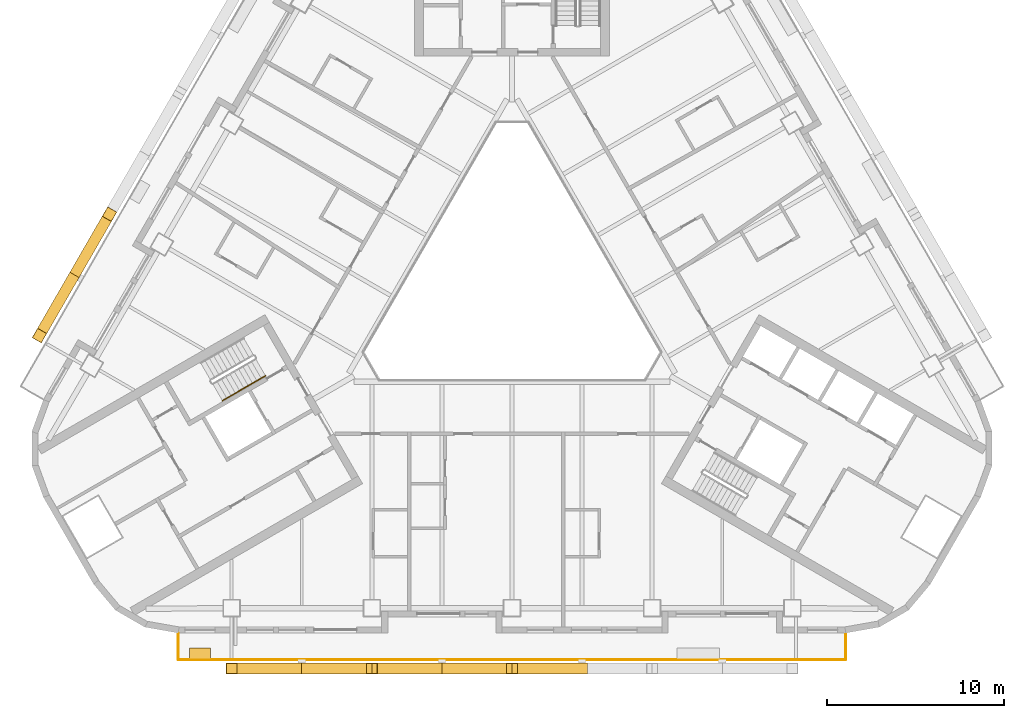
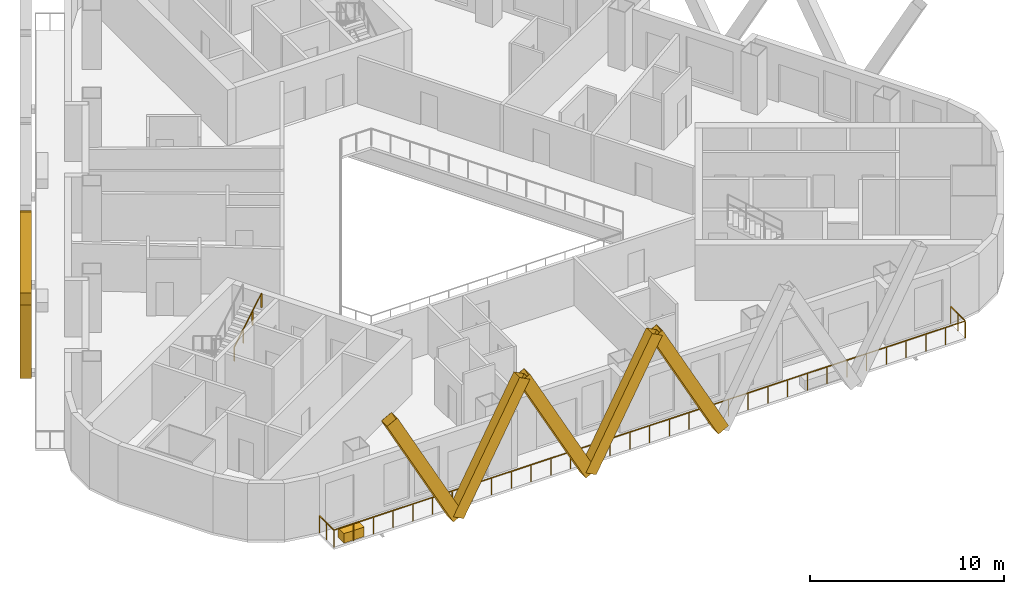
# One storey, part 9 of 14: 7 shading devices, 2 railings, 1 covering.
"""IFC4 building model written with IfcOpenShell, lengths in metres."""

from ifc_helpers import new_model, si_unit, direction, frame, origin, origin_2d, place, context, subcontext, project, spatial, rectangle, hollow_rectangle, circle, extrude, material, material_profile, profile_set, type_object, element, save


model = new_model("IFC4")

# Units and contexts
model_context = context("Model", 3, precision=1e-05, world=origin(), true_north=direction((0.0, 1.0)))
body_context = subcontext(model_context, "Body", "Model", "MODEL_VIEW")
ifc_project = project(units=[si_unit("LENGTHUNIT", "METRE"), si_unit("AREAUNIT", "SQUARE_METRE"), si_unit("VOLUMEUNIT", "CUBIC_METRE"), si_unit("PLANEANGLEUNIT", "RADIAN"), si_unit("MASSUNIT", "GRAM", prefix="KILO")], contexts=[model_context])

# Site, building, storey
site_placement = place(None, origin())
site = spatial("IfcSite", under=ifc_project, at=site_placement, CompositionType="ELEMENT")
building_placement = place(site_placement, origin())
building = spatial("IfcBuilding", under=site, at=building_placement, Name="Apuvela Tower Hotel", CompositionType="ELEMENT")
storey_placement = place(building_placement, frame((0.0, 0.0, 53.89990234375)))
storey = spatial("IfcBuildingStorey", under=building, at=storey_placement, Name="L10", CompositionType="ELEMENT", Elevation=53.89990234375)

# Railing
ifc_material_1 = material(Name="Stainless steel 316 handrail", Category="steel")
railing_type_1 = type_object("IfcRailingType", Name="COR-HANDRAIL-900", PredefinedType="HANDRAIL", material=ifc_material_1)
railing_1_placement = place(storey_placement, frame((-16.31884765625, -6.534912109375, 2.018310546875)))
element("IfcRailing", 1, at=railing_1_placement, inside=storey, type_object=railing_type_1, Name="L10 ST2 stair handrail 2", PredefinedType="HANDRAIL", context=body_context, shape_type="SweptSolid", body=[
    extrude(circle(Radius=0.02392578125, at=origin_2d()), frame((0.0, 0.0, 0.8759765625), z_axis=(0.742390482028, 0.42860119049, 0.514934356695), x_axis=(-0.49998411664, 0.866034573852, 0.0)), (0.0, 0.0, 1.0), 3.26611328125),
    extrude(rectangle(XDim=0.0419921875, YDim=0.0419921875, at=origin_2d()), origin(), (0.0, 0.0, 1.0), 0.851806640625),
    extrude(rectangle(XDim=0.0419921875, YDim=0.0419921875, at=origin_2d()), frame((0.808349609375, 0.466552734375, 0.560546875)), (0.0, 0.0, 1.0), 0.851806640625),
    extrude(rectangle(XDim=0.0419921875, YDim=0.0419921875, at=origin_2d()), frame((1.616455078125, 0.933349609375, 1.121337890625)), (0.0, 0.0, 1.0), 0.851806640625),
    extrude(rectangle(XDim=0.0419921875, YDim=0.0419921875, at=origin_2d()), frame((2.4248046875, 1.39990234375, 1.681884765625)), (0.0, 0.0, 1.0), 0.851806640625),
])

# Shading devices
ifc_material_2 = material(Name="Aluminium 6063-T6, black anodised", Category="aluminium")
ifc_material_profile = material_profile(ifc_material_2, hollow_rectangle(XDim=0.60009765625, YDim=0.699951171875, WallThickness=0.011962890625, at=origin_2d()), Name="AL BOX 700x600x12")
ifc_profile_set = profile_set([ifc_material_profile], Name="Aluminium 6063-T6, black anodised")
shading_device_type = type_object("IfcShadingDeviceType", Name="ENV-FIN-700x600", PredefinedType="USERDEFINED", material=ifc_profile_set)
for number, where, z_axis, x_axis, name in (
    (2, (-11.85009765625, -21.6298828125, -0.099853515625), (-0.470897892863, 0.0, 0.882187720668), (0.0, -1.0, 0.0), "Lattice fin S9"),
    (3, (-11.85009765625, -21.6298828125, -0.099853515625), (0.470920543904, 0.0, 0.882175629526), (0.0, 1.0, 0.0), "Lattice fin S10"),
    (4, (-3.949951171875, -21.6298828125, -0.099853515625), (-0.470897892863, 0.0, 0.882187720668), (0.0, -1.0, 0.0), "Lattice fin S11"),
    (5, (-3.949951171875, -21.6298828125, -0.099853515625), (0.470897892863, 0.0, 0.882187720668), (0.0, 1.0, 0.0), "Lattice fin S12"),
    (6, (3.949951171875, -21.6298828125, -0.099853515625), (-0.470897892863, 0.0, 0.882187720668), (0.0, -1.0, 0.0), "Lattice fin S13"),
    (7, (-24.656982421875, 0.552490234375, -0.099853515625), (0.235433593518, 0.407824887177, 0.882184722404), (-0.866047669374, 0.499961432884, 0.0), "Lattice fin NW111"),
    (8, (-24.656982421875, 0.552490234375, -0.099853515625), (-0.235463880167, -0.407797827568, 0.882189148067), (0.866005453737, -0.500034552904, 0.0), "Lattice fin NW112"),
):
    element("IfcShadingDevice", number, at=place(storey_placement, frame(where, z_axis=z_axis, x_axis=x_axis)), inside=storey, type_object=shading_device_type, Name=name, ObjectType="FIN", PredefinedType="USERDEFINED", context=body_context, shape_type="SweptSolid", body=[
        extrude(hollow_rectangle(XDim=0.60009765625, YDim=0.699951171875, WallThickness=0.011962890625, at=origin_2d()), origin(), (0.0, 0.0, 1.0), 8.38818359375),
    ])

# Railing
ifc_material_3 = material(Name="Stainless steel 316 rail with laminated glass infill", Category="steel")
railing_type_2 = type_object("IfcRailingType", Name="ENV-GUARD-1100", PredefinedType="GUARDRAIL", material=ifc_material_3)
railing_2_placement = place(storey_placement, frame((-18.81591796875, -19.6298828125, 0.0)))
element("IfcRailing", 9, at=railing_2_placement, inside=storey, type_object=railing_type_2, Name="Balcony guard S L10", PredefinedType="GUARDRAIL", context=body_context, shape_type="SweptSolid", body=[
    extrude(rectangle(XDim=0.050048828125, YDim=0.050048828125, at=origin_2d()), frame((0.0, 0.0, 1.0751953125), z_axis=(0.0, -1.0, 0.0), x_axis=(1.0, 0.0, 0.0)), (0.0, 0.0, 1.0), 1.5),
    extrude(rectangle(XDim=0.050048828125, YDim=0.050048828125, at=origin_2d()), frame((0.0, -1.5, 1.0751953125), z_axis=(1.0, 0.0, 0.0), x_axis=(0.0, 1.0, 0.0)), (0.0, 0.0, 1.0), 37.6318359375),
    extrude(rectangle(XDim=0.050048828125, YDim=0.050048828125, at=origin_2d()), frame((37.6318359375, -1.5, 1.0751953125), z_axis=(0.0, 1.0, 0.0), x_axis=(-1.0, 0.0, 0.0)), (0.0, 0.0, 1.0), 1.5),
    extrude(rectangle(XDim=0.0400390625, YDim=0.0400390625, at=origin_2d()), origin(), (0.0, 0.0, 1.0), 1.050048828125),
    extrude(rectangle(XDim=0.0400390625, YDim=0.0400390625, at=origin_2d()), frame((0.0, -0.75, 0.0)), (0.0, 0.0, 1.0), 1.050048828125),
    extrude(rectangle(XDim=0.0400390625, YDim=0.0400390625, at=origin_2d()), frame((0.0, -1.5, 0.0)), (0.0, 0.0, 1.0), 1.050048828125),
    extrude(rectangle(XDim=0.0400390625, YDim=0.0400390625, at=origin_2d()), frame((1.176025390625, -1.5, 0.0)), (0.0, 0.0, 1.0), 1.050048828125),
    extrude(rectangle(XDim=0.0400390625, YDim=0.0400390625, at=origin_2d()), frame((2.35205078125, -1.5, 0.0)), (0.0, 0.0, 1.0), 1.050048828125),
    extrude(rectangle(XDim=0.0400390625, YDim=0.0400390625, at=origin_2d()), frame((3.528076171875, -1.5, 0.0)), (0.0, 0.0, 1.0), 1.050048828125),
    extrude(rectangle(XDim=0.0400390625, YDim=0.0400390625, at=origin_2d()), frame((4.7041015625, -1.5, 0.0)), (0.0, 0.0, 1.0), 1.050048828125),
    extrude(rectangle(XDim=0.0400390625, YDim=0.0400390625, at=origin_2d()), frame((5.8798828125, -1.5, 0.0)), (0.0, 0.0, 1.0), 1.050048828125),
    extrude(rectangle(XDim=0.0400390625, YDim=0.0400390625, at=origin_2d()), frame((7.055908203125, -1.5, 0.0)), (0.0, 0.0, 1.0), 1.050048828125),
    extrude(rectangle(XDim=0.0400390625, YDim=0.0400390625, at=origin_2d()), frame((8.23193359375, -1.5, 0.0)), (0.0, 0.0, 1.0), 1.050048828125),
    extrude(rectangle(XDim=0.0400390625, YDim=0.0400390625, at=origin_2d()), frame((9.407958984375, -1.5, 0.0)), (0.0, 0.0, 1.0), 1.050048828125),
    extrude(rectangle(XDim=0.0400390625, YDim=0.0400390625, at=origin_2d()), frame((10.583984375, -1.5, 0.0)), (0.0, 0.0, 1.0), 1.050048828125),
    extrude(rectangle(XDim=0.0400390625, YDim=0.0400390625, at=origin_2d()), frame((11.760009765625, -1.5, 0.0)), (0.0, 0.0, 1.0), 1.050048828125),
    extrude(rectangle(XDim=0.0400390625, YDim=0.0400390625, at=origin_2d()), frame((12.93603515625, -1.5, 0.0)), (0.0, 0.0, 1.0), 1.050048828125),
    extrude(rectangle(XDim=0.0400390625, YDim=0.0400390625, at=origin_2d()), frame((14.11181640625, -1.5, 0.0)), (0.0, 0.0, 1.0), 1.050048828125),
    extrude(rectangle(XDim=0.0400390625, YDim=0.0400390625, at=origin_2d()), frame((15.287841796875, -1.5, 0.0)), (0.0, 0.0, 1.0), 1.050048828125),
    extrude(rectangle(XDim=0.0400390625, YDim=0.0400390625, at=origin_2d()), frame((16.4638671875, -1.5, 0.0)), (0.0, 0.0, 1.0), 1.050048828125),
    extrude(rectangle(XDim=0.0400390625, YDim=0.0400390625, at=origin_2d()), frame((17.639892578125, -1.5, 0.0)), (0.0, 0.0, 1.0), 1.050048828125),
    extrude(rectangle(XDim=0.0400390625, YDim=0.0400390625, at=origin_2d()), frame((18.81591796875, -1.5, 0.0)), (0.0, 0.0, 1.0), 1.050048828125),
    extrude(rectangle(XDim=0.0400390625, YDim=0.0400390625, at=origin_2d()), frame((19.991943359375, -1.5, 0.0)), (0.0, 0.0, 1.0), 1.050048828125),
    extrude(rectangle(XDim=0.0400390625, YDim=0.0400390625, at=origin_2d()), frame((21.16796875, -1.5, 0.0)), (0.0, 0.0, 1.0), 1.050048828125),
    extrude(rectangle(XDim=0.0400390625, YDim=0.0400390625, at=origin_2d()), frame((22.343994140625, -1.5, 0.0)), (0.0, 0.0, 1.0), 1.050048828125),
    extrude(rectangle(XDim=0.0400390625, YDim=0.0400390625, at=origin_2d()), frame((23.52001953125, -1.5, 0.0)), (0.0, 0.0, 1.0), 1.050048828125),
    extrude(rectangle(XDim=0.0400390625, YDim=0.0400390625, at=origin_2d()), frame((24.69580078125, -1.5, 0.0)), (0.0, 0.0, 1.0), 1.050048828125),
    extrude(rectangle(XDim=0.0400390625, YDim=0.0400390625, at=origin_2d()), frame((25.871826171875, -1.5, 0.0)), (0.0, 0.0, 1.0), 1.050048828125),
    extrude(rectangle(XDim=0.0400390625, YDim=0.0400390625, at=origin_2d()), frame((27.0478515625, -1.5, 0.0)), (0.0, 0.0, 1.0), 1.050048828125),
    extrude(rectangle(XDim=0.0400390625, YDim=0.0400390625, at=origin_2d()), frame((28.223876953125, -1.5, 0.0)), (0.0, 0.0, 1.0), 1.050048828125),
    extrude(rectangle(XDim=0.0400390625, YDim=0.0400390625, at=origin_2d()), frame((29.39990234375, -1.5, 0.0)), (0.0, 0.0, 1.0), 1.050048828125),
    extrude(rectangle(XDim=0.0400390625, YDim=0.0400390625, at=origin_2d()), frame((30.575927734375, -1.5, 0.0)), (0.0, 0.0, 1.0), 1.050048828125),
    extrude(rectangle(XDim=0.0400390625, YDim=0.0400390625, at=origin_2d()), frame((31.751953125, -1.5, 0.0)), (0.0, 0.0, 1.0), 1.050048828125),
    extrude(rectangle(XDim=0.0400390625, YDim=0.0400390625, at=origin_2d()), frame((32.927734375, -1.5, 0.0)), (0.0, 0.0, 1.0), 1.050048828125),
    extrude(rectangle(XDim=0.0400390625, YDim=0.0400390625, at=origin_2d()), frame((34.103759765625, -1.5, 0.0)), (0.0, 0.0, 1.0), 1.050048828125),
    extrude(rectangle(XDim=0.0400390625, YDim=0.0400390625, at=origin_2d()), frame((35.27978515625, -1.5, 0.0)), (0.0, 0.0, 1.0), 1.050048828125),
    extrude(rectangle(XDim=0.0400390625, YDim=0.0400390625, at=origin_2d()), frame((36.455810546875, -1.5, 0.0)), (0.0, 0.0, 1.0), 1.050048828125),
    extrude(rectangle(XDim=0.0400390625, YDim=0.0400390625, at=origin_2d()), frame((37.6318359375, -1.5, 0.0)), (0.0, 0.0, 1.0), 1.050048828125),
    extrude(rectangle(XDim=0.0400390625, YDim=0.0400390625, at=origin_2d()), frame((37.6318359375, -0.75, 0.0)), (0.0, 0.0, 1.0), 1.050048828125),
    extrude(rectangle(XDim=0.0400390625, YDim=0.0400390625, at=origin_2d()), frame((37.6318359375, 0.0, 0.0)), (0.0, 0.0, 1.0), 1.050048828125),
])

# Covering
ifc_material_4 = material(Name="Planting substrate and soil, planted")
covering_type = type_object("IfcCoveringType", Name="ENV-PLANTER-1200x600", PredefinedType="USERDEFINED", material=ifc_material_4)
covering_placement = place(storey_placement, frame((-17.585205078125, -20.780029296875, 0.0), z_axis=(0.0, 0.0, 1.0), x_axis=(1.0, 0.0, 0.0)))
element("IfcCovering", 10, at=covering_placement, inside=storey, type_object=covering_type, Name="Planter S1", ObjectType="PLANTER", PredefinedType="USERDEFINED", context=body_context, shape_type="SweptSolid", body=[
    extrude(rectangle(XDim=1.199951171875, YDim=0.60009765625, at=origin_2d()), origin(), (0.0, 0.0, 1.0), 0.60009765625),
])

save(model, "model.ifc")
